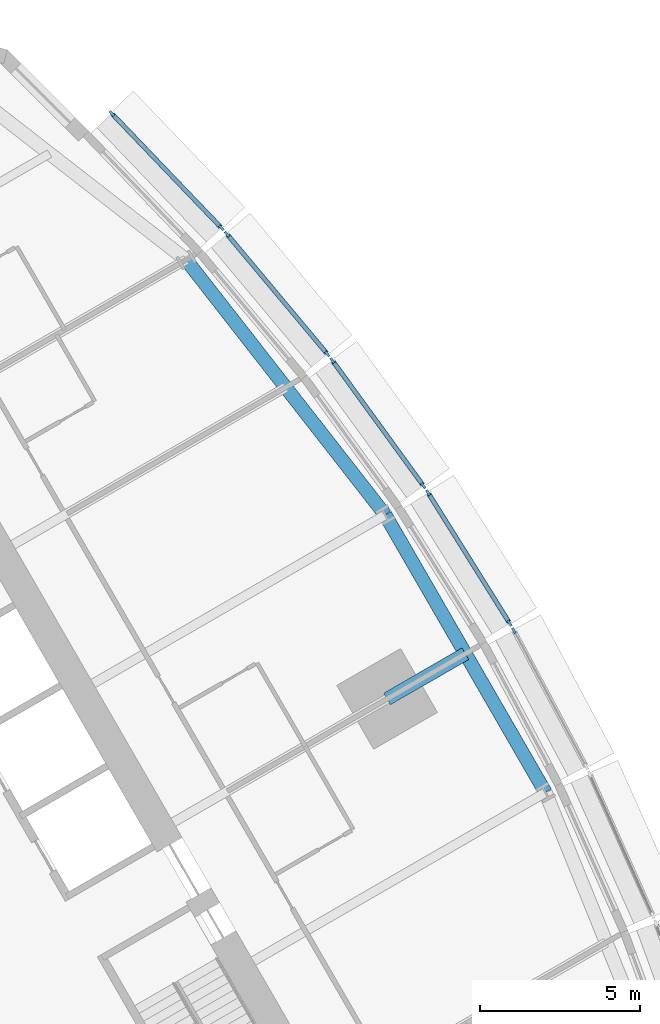
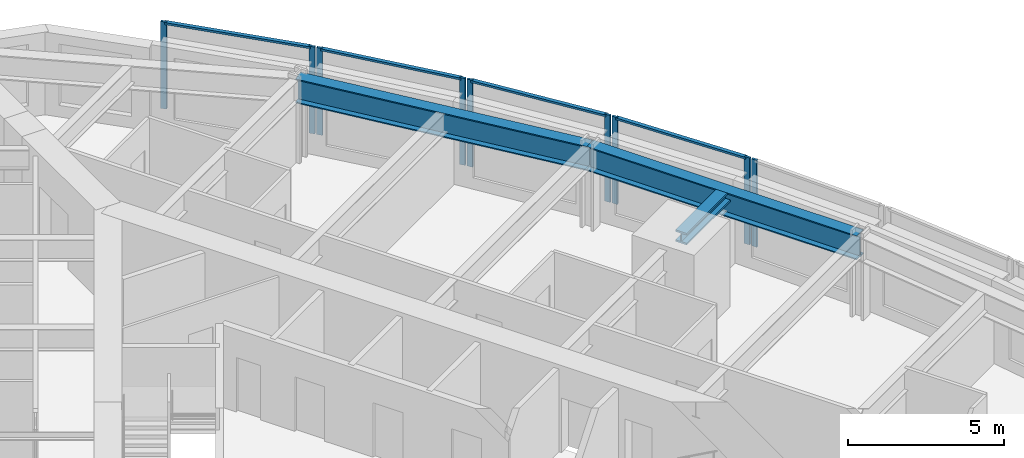
# One storey, part 5 of 14: 13 members, 3 beams, 5 elements without a shape of their own.
"""IFC4 building model written with IfcOpenShell, lengths in metres."""

from ifc_helpers import new_model, si_unit, direction, frame, origin, origin_2d, place, context, subcontext, project, spatial, rectangle, i_section, extrude, material, material_profile, profile_set, type_object, element, aggregate, save


model = new_model("IFC4")

# Units and contexts
model_context = context("Model", 3, precision=1e-05, world=origin(), true_north=direction((0.0, 1.0)))
body_context = subcontext(model_context, "Body", "Model", "MODEL_VIEW")
ifc_project = project(units=[si_unit("LENGTHUNIT", "METRE"), si_unit("AREAUNIT", "SQUARE_METRE"), si_unit("VOLUMEUNIT", "CUBIC_METRE"), si_unit("PLANEANGLEUNIT", "RADIAN"), si_unit("MASSUNIT", "GRAM", prefix="KILO")], contexts=[model_context])

# Site, building, storey
site_placement = place(None, origin())
site = spatial("IfcSite", under=ifc_project, at=site_placement, CompositionType="ELEMENT")
building_placement = place(site_placement, origin())
building = spatial("IfcBuilding", under=site, at=building_placement, Name="Trikona Tower", CompositionType="ELEMENT")
storey_placement = place(building_placement, frame((0.0, 0.0, 158.89990234375)))
storey = spatial("IfcBuildingStorey", under=building, at=storey_placement, Name="L42", CompositionType="ELEMENT", Elevation=158.89990234375)

# Curtain wall, member
ifc_material_1 = material(Name="Aluminium curtain wall system", Category="aluminium")
curtain_wall_type = type_object("IfcCurtainWallType", Name="Curtain wall DS2", PredefinedType="NOTDEFINED", material=ifc_material_1)
curtain_wall_1_placement = place(storey_placement, origin())
curtain_wall_1 = element("IfcCurtainWall", 1, at=curtain_wall_1_placement, inside=storey, type_object=curtain_wall_type, Name="Curtain wall DS2 L42", PredefinedType="NOTDEFINED")
ifc_material_2 = material(Name="Aluminium mullion, pale anodised", Category="aluminium")
ifc_material_profile_1 = material_profile(ifc_material_2, rectangle(XDim=0.080078125, YDim=0.199951171875, at=origin_2d()), Name="MUL-DS2")
ifc_profile_set_1 = profile_set([ifc_material_profile_1], Name="Aluminium mullion, pale anodised")
member_type_1 = type_object("IfcMemberType", Name="Mullion DS2 80x200", PredefinedType="MULLION", material=ifc_profile_set_1)
member_1_placement = place(storey_placement, frame((19.2666015625, 10.9716796875, 0.0), z_axis=(0.0, 0.0, 1.0), x_axis=(-0.882996107343, -0.469380308937, 0.0)))
member_1 = element("IfcMember", 2, at=member_1_placement, type_object=member_type_1, Name="CW-DS2 mullion 2", PredefinedType="MULLION", context=body_context, shape_type="SweptSolid", body=[
    extrude(rectangle(XDim=0.080078125, YDim=0.199951171875, at=origin_2d()), origin(), (0.0, 0.0, 1.0), 3.400146484375),
])
aggregate(curtain_wall_1, [member_1])

# Curtain wall, members
curtain_wall_2_placement = place(storey_placement, origin())
curtain_wall_2 = element("IfcCurtainWall", 3, at=curtain_wall_2_placement, inside=storey, type_object=curtain_wall_type, Name="Curtain wall DS2 L42", PredefinedType="NOTDEFINED")
member_2_placement = place(storey_placement, frame((19.135009765625, 11.199462890625, 0.0), z_axis=(0.0, 0.0, 1.0), x_axis=(-0.847998304006, -0.529998940002, 0.0)))
member_2 = element("IfcMember", 4, at=member_2_placement, type_object=member_type_1, Name="CW-DS2 mullion 1", PredefinedType="MULLION", context=body_context, shape_type="SweptSolid", body=[
    extrude(rectangle(XDim=0.080078125, YDim=0.199951171875, at=origin_2d()), origin(), (0.0, 0.0, 1.0), 3.400146484375),
])
member_3_placement = place(storey_placement, frame((16.589599609375, 15.2724609375, 0.0), z_axis=(0.0, 0.0, 1.0), x_axis=(-0.847998304006, -0.529998940002, 0.0)))
member_3 = element("IfcMember", 5, at=member_3_placement, type_object=member_type_1, Name="CW-DS2 mullion 2", PredefinedType="MULLION", context=body_context, shape_type="SweptSolid", body=[
    extrude(rectangle(XDim=0.080078125, YDim=0.199951171875, at=origin_2d()), origin(), (0.0, 0.0, 1.0), 3.400146484375),
])

curtain_wall_3_placement = place(storey_placement, origin())
curtain_wall_3 = element("IfcCurtainWall", 6, at=curtain_wall_3_placement, inside=storey, type_object=curtain_wall_type, Name="Curtain wall DS2 L42", PredefinedType="NOTDEFINED")
member_4_placement = place(storey_placement, frame((16.442626953125, 15.489990234375, 0.0), z_axis=(0.0, 0.0, 1.0), x_axis=(-0.80908576332, -0.587690588313, 0.0)))
member_4 = element("IfcMember", 7, at=member_4_placement, type_object=member_type_1, Name="CW-DS2 mullion 1", PredefinedType="MULLION", context=body_context, shape_type="SweptSolid", body=[
    extrude(rectangle(XDim=0.080078125, YDim=0.199951171875, at=origin_2d()), origin(), (0.0, 0.0, 1.0), 3.400146484375),
])
member_5_placement = place(storey_placement, frame((13.605712890625, 19.39599609375, 0.0), z_axis=(0.0, 0.0, 1.0), x_axis=(-0.80908576332, -0.587690588313, 0.0)))
member_5 = element("IfcMember", 8, at=member_5_placement, type_object=member_type_1, Name="CW-DS2 mullion 2", PredefinedType="MULLION", context=body_context, shape_type="SweptSolid", body=[
    extrude(rectangle(XDim=0.080078125, YDim=0.199951171875, at=origin_2d()), origin(), (0.0, 0.0, 1.0), 3.400146484375),
])

curtain_wall_4_placement = place(storey_placement, origin())
curtain_wall_4 = element("IfcCurtainWall", 9, at=curtain_wall_4_placement, inside=storey, type_object=curtain_wall_type, Name="Curtain wall DS2 L42", PredefinedType="NOTDEFINED")
member_6_placement = place(storey_placement, frame((13.44482421875, 19.602294921875, 0.0), z_axis=(0.0, 0.0, 1.0), x_axis=(-0.766866678271, -0.641806433248, 0.0)))
member_6 = element("IfcMember", 10, at=member_6_placement, type_object=member_type_1, Name="CW-DS2 mullion 1", PredefinedType="MULLION", context=body_context, shape_type="SweptSolid", body=[
    extrude(rectangle(XDim=0.080078125, YDim=0.199951171875, at=origin_2d()), origin(), (0.0, 0.0, 1.0), 3.400146484375),
])
member_7_placement = place(storey_placement, frame((10.315185546875, 23.34130859375, 0.0), z_axis=(0.0, 0.0, 1.0), x_axis=(-0.766866678271, -0.641806433248, 0.0)))
member_7 = element("IfcMember", 11, at=member_7_placement, type_object=member_type_1, Name="CW-DS2 mullion 2", PredefinedType="MULLION", context=body_context, shape_type="SweptSolid", body=[
    extrude(rectangle(XDim=0.080078125, YDim=0.199951171875, at=origin_2d()), origin(), (0.0, 0.0, 1.0), 3.400146484375),
])

curtain_wall_5_placement = place(storey_placement, origin())
curtain_wall_5 = element("IfcCurtainWall", 12, at=curtain_wall_5_placement, inside=storey, type_object=curtain_wall_type, Name="Curtain wall DS2 L42", PredefinedType="NOTDEFINED")
member_8_placement = place(storey_placement, frame((10.1416015625, 23.535400390625, 0.0), z_axis=(0.0, 0.0, 1.0), x_axis=(-0.722158330767, -0.691727797117, 0.0)))
member_8 = element("IfcMember", 13, at=member_8_placement, type_object=member_type_1, Name="CW-DS2 mullion 1", PredefinedType="MULLION", context=body_context, shape_type="SweptSolid", body=[
    extrude(rectangle(XDim=0.080078125, YDim=0.199951171875, at=origin_2d()), origin(), (0.0, 0.0, 1.0), 3.400146484375),
])
member_9_placement = place(storey_placement, frame((6.718994140625, 27.1083984375, 0.0), z_axis=(0.0, 0.0, 1.0), x_axis=(-0.722158330767, -0.691727797117, 0.0)))
member_9 = element("IfcMember", 14, at=member_9_placement, type_object=member_type_1, Name="CW-DS2 mullion 2", PredefinedType="MULLION", context=body_context, shape_type="SweptSolid", body=[
    extrude(rectangle(XDim=0.080078125, YDim=0.199951171875, at=origin_2d()), origin(), (0.0, 0.0, 1.0), 3.400146484375),
])

# Beams
ifc_material_3 = material(Name="Steel ASTM A992 Grade 50", Category="steel")
ifc_material_profile_2 = material_profile(ifc_material_3, i_section(OverallWidth=0.419189453125, OverallDepth=0.45458984375, WebThickness=0.042236328125, FlangeThickness=0.067626953125, at=origin_2d()), Name="W14X370")
ifc_profile_set_2 = profile_set([ifc_material_profile_2], Name="Steel ASTM A992 Grade 50")
beam_type_1 = type_object("IfcBeamType", Name="Steel beam W14x370 (apex bracket)", PredefinedType="BEAM", material=ifc_profile_set_2)
beam_1_placement = place(storey_placement, frame((15.311767578125, 8.84033203125, 3.0078125), z_axis=(0.86605005072, 0.499957307824, 0.0), x_axis=(-0.499957307824, 0.86605005072, 0.0)))
element("IfcBeam", 15, at=beam_1_placement, inside=storey, type_object=beam_type_1, Name="Cantilever bracket L43 F2", PredefinedType="BEAM", context=body_context, shape_type="SweptSolid", body=[
    extrude(i_section(OverallWidth=0.419189453125, OverallDepth=0.45458984375, WebThickness=0.042236328125, FlangeThickness=0.067626953125, at=origin_2d()), origin(), (0.0, 0.0, 1.0), 2.819580078125),
])
ifc_material_4 = material(Name="Steel ASTM A992 Grade 50", Category="steel")
ifc_material_profile_3 = material_profile(ifc_material_4, i_section(OverallWidth=0.424072265625, OverallDepth=0.947509765625, WebThickness=0.02392578125, FlangeThickness=0.042724609375, at=origin_2d()), Name="W36X302")
ifc_profile_set_3 = profile_set([ifc_material_profile_3], Name="Steel ASTM A992 Grade 50")
beam_type_2 = type_object("IfcBeamType", Name="Steel beam W36x302 (spandrel)", PredefinedType="SPANDREL", material=ifc_profile_set_3)
beam_2_placement = place(storey_placement, frame((20.253662109375, 5.919921875, 2.761474609375), z_axis=(-0.500004234368, 0.866022959057, 0.0), x_axis=(-0.866022959057, -0.500004234368, 0.0)))
element("IfcBeam", 16, at=beam_2_placement, inside=storey, type_object=beam_type_2, Name="Spandrel beam L43 F2-3", PredefinedType="SPANDREL", context=body_context, shape_type="SweptSolid", body=[
    extrude(i_section(OverallWidth=0.424072265625, OverallDepth=0.947509765625, WebThickness=0.02392578125, FlangeThickness=0.042724609375, at=origin_2d()), origin(), (0.0, 0.0, 1.0), 10.0),
])
beam_3_placement = place(storey_placement, frame((15.253662109375, 14.580078125, 2.761474609375), z_axis=(-0.615232009054, 0.788346101046, 0.0), x_axis=(-0.788346101046, -0.615232009054, 0.0)))
element("IfcBeam", 17, at=beam_3_placement, inside=storey, type_object=beam_type_2, Name="Spandrel beam L43 F2-4", PredefinedType="SPANDREL", context=body_context, shape_type="SweptSolid", body=[
    extrude(i_section(OverallWidth=0.424072265625, OverallDepth=0.947509765625, WebThickness=0.02392578125, FlangeThickness=0.042724609375, at=origin_2d()), origin(), (0.0, 0.0, 1.0), 10.09765625),
])

# Member
ifc_material_5 = material(Name="Aluminium transom, pale anodised", Category="aluminium")
ifc_material_profile_4 = material_profile(ifc_material_5, rectangle(XDim=0.139892578125, YDim=0.080078125, at=origin_2d()), Name="TRN-DS2")
ifc_profile_set_4 = profile_set([ifc_material_profile_4], Name="Aluminium transom, pale anodised")
member_type_2 = type_object("IfcMemberType", Name="Transom DS2 80x140", PredefinedType="USERDEFINED", material=ifc_profile_set_4)
member_10_placement = place(storey_placement, frame((19.114013671875, 11.2333984375, 3.360107421875), z_axis=(-0.530031463794, 0.847977975769, 0.0), x_axis=(-0.847977975769, -0.530031463794, 0.0)))
member_10 = element("IfcMember", 18, at=member_10_placement, type_object=member_type_2, Name="CW-DS2 transom 1.1", ObjectType="TRANSOM", PredefinedType="USERDEFINED", context=body_context, shape_type="SweptSolid", body=[
    extrude(rectangle(XDim=0.139892578125, YDim=0.080078125, at=origin_2d()), origin(), (0.0, 0.0, 1.0), 4.72314453125),
])

aggregate(curtain_wall_2, [member_2, member_3, member_10])

member_11_placement = place(storey_placement, frame((16.419189453125, 15.5224609375, 3.360107421875), z_axis=(-0.587694585883, 0.809082859616, 0.0), x_axis=(-0.809082859616, -0.587694585883, 0.0)))
member_11 = element("IfcMember", 19, at=member_11_placement, type_object=member_type_2, Name="CW-DS2 transom 1.1", ObjectType="TRANSOM", PredefinedType="USERDEFINED", context=body_context, shape_type="SweptSolid", body=[
    extrude(rectangle(XDim=0.139892578125, YDim=0.080078125, at=origin_2d()), origin(), (0.0, 0.0, 1.0), 4.747314453125),
])

aggregate(curtain_wall_3, [member_4, member_5, member_11])

member_12_placement = place(storey_placement, frame((13.4189453125, 19.6328125, 3.360107421875), z_axis=(-0.641770294892, 0.766896921753, 0.0), x_axis=(-0.766896921753, -0.641770294892, 0.0)))
member_12 = element("IfcMember", 20, at=member_12_placement, type_object=member_type_2, Name="CW-DS2 transom 1.1", ObjectType="TRANSOM", PredefinedType="USERDEFINED", context=body_context, shape_type="SweptSolid", body=[
    extrude(rectangle(XDim=0.139892578125, YDim=0.080078125, at=origin_2d()), origin(), (0.0, 0.0, 1.0), 4.7958984375),
])

aggregate(curtain_wall_4, [member_6, member_7, member_12])

member_13_placement = place(storey_placement, frame((10.114013671875, 23.564208984375, 3.360107421875), z_axis=(-0.691721246785, 0.722164605022, 0.0), x_axis=(-0.722164605022, -0.691721246785, 0.0)))
member_13 = element("IfcMember", 21, at=member_13_placement, type_object=member_type_2, Name="CW-DS2 transom 1.1", ObjectType="TRANSOM", PredefinedType="USERDEFINED", context=body_context, shape_type="SweptSolid", body=[
    extrude(rectangle(XDim=0.139892578125, YDim=0.080078125, at=origin_2d()), origin(), (0.0, 0.0, 1.0), 4.867919921875),
])

aggregate(curtain_wall_5, [member_8, member_9, member_13])

save(model, "model.ifc")
